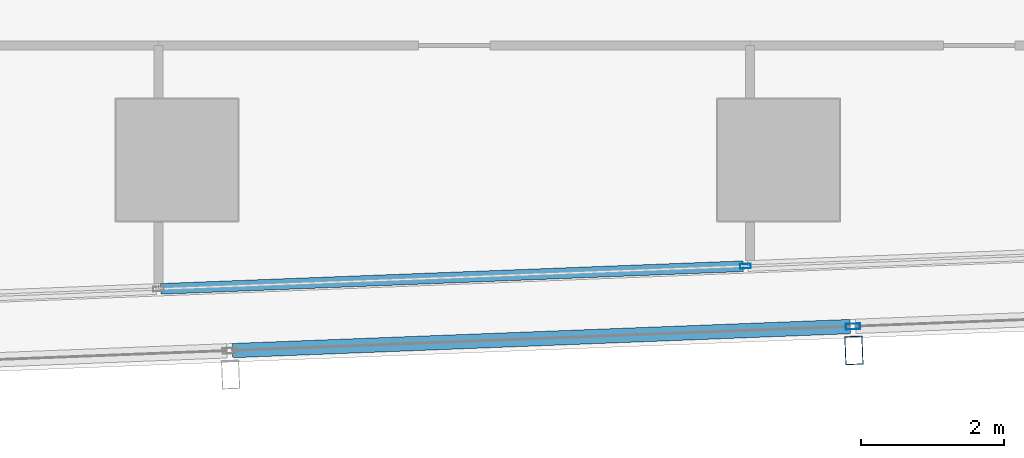
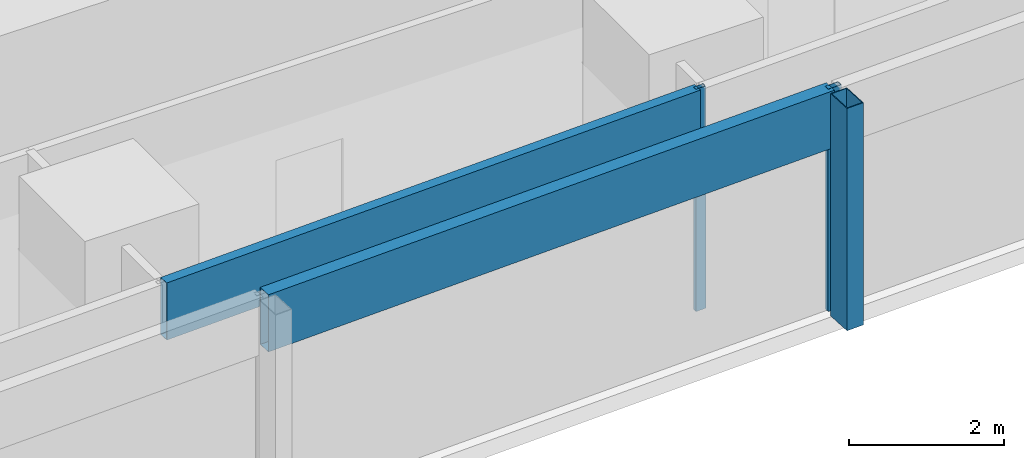
# One storey, part 10 of 40: 5 members, 2 elements without a shape of their own.
"""IFC4 building model written with IfcOpenShell, lengths in metres."""

from ifc_helpers import new_model, si_unit, direction, frame, origin, origin_2d, place, context, subcontext, project, spatial, hollow_rectangle, extrude, material, material_profile, profile_set, type_object, element, aggregate, save


model = new_model("IFC4")

# Units and contexts
model_context = context("Model", 3, precision=1e-05, world=origin(), true_north=direction((0.0, 1.0)))
body_context = subcontext(model_context, "Body", "Model", "MODEL_VIEW")
ifc_project = project(units=[si_unit("LENGTHUNIT", "METRE"), si_unit("AREAUNIT", "SQUARE_METRE"), si_unit("VOLUMEUNIT", "CUBIC_METRE"), si_unit("PLANEANGLEUNIT", "RADIAN"), si_unit("MASSUNIT", "GRAM", prefix="KILO")], contexts=[model_context])

# Site, building, storey
site_placement = place(None, origin())
site = spatial("IfcSite", under=ifc_project, at=site_placement, CompositionType="ELEMENT")
building_placement = place(site_placement, origin())
building = spatial("IfcBuilding", under=site, at=building_placement, Name="Rekha Terrace Tower", CompositionType="ELEMENT")
storey_placement = place(building_placement, frame((0.0, 0.0, 99.050048828125)))
storey = spatial("IfcBuildingStorey", under=building, at=storey_placement, Name="L24", CompositionType="ELEMENT", Elevation=99.050048828125)

# Curtain wall, member
ifc_material_1 = material(Name="Aluminium framing", Category="aluminium")
curtain_wall_type_1 = type_object("IfcCurtainWallType", Name="CW2 double skin outer glazing", PredefinedType="USERDEFINED", material=ifc_material_1)
curtain_wall_1_placement = place(storey_placement, origin())
curtain_wall_1 = element("IfcCurtainWall", 1, at=curtain_wall_1_placement, inside=storey, type_object=curtain_wall_type_1, Name="CW2 double skin outer glazing", ObjectType="DOUBLE SKIN OUTER GLAZING", PredefinedType="USERDEFINED")
ifc_material_2 = material(Name="Steel S355 with fluorocarbon finish", Category="steel")
ifc_material_profile_1 = material_profile(ifc_material_2, hollow_rectangle(XDim=0.25, YDim=0.39990234375, WallThickness=0.012451171875, at=origin_2d()), Name="RHS400x250x12.5")
ifc_profile_set_1 = profile_set([ifc_material_profile_1], Name="Steel S355 with fluorocarbon finish")
member_type_1 = type_object("IfcMemberType", Name="BL1 facade blade RHS 400 x 250", PredefinedType="USERDEFINED", material=ifc_profile_set_1)
member_1_placement = place(storey_placement, frame((51.4521484375, 14.141845703125, 0.0), z_axis=(0.0, 0.0, 1.0), x_axis=(0.999243494356, 0.038890088543, 0.0)))
member_1 = element("IfcMember", 2, at=member_1_placement, type_object=member_type_1, Name="Facade blade", ObjectType="FACADE BLADE", PredefinedType="USERDEFINED", context=body_context, shape_type="SweptSolid", body=[
    extrude(hollow_rectangle(XDim=0.25, YDim=0.39990234375, WallThickness=0.012451171875, at=origin_2d()), origin(), (0.0, 0.0, 1.0), 3.5),
])

# Curtain wall, members
curtain_wall_type_2 = type_object("IfcCurtainWallType", Name="CW1 double skin inner glazing", PredefinedType="USERDEFINED", material=ifc_material_1)
curtain_wall_2_placement = place(storey_placement, origin())
curtain_wall_2 = element("IfcCurtainWall", 3, at=curtain_wall_2_placement, inside=storey, type_object=curtain_wall_type_2, Name="CW1 double skin inner glazing", ObjectType="DOUBLE SKIN INNER GLAZING", PredefinedType="USERDEFINED")
ifc_material_3 = material(Name="Aluminium mullion section", Category="aluminium")
ifc_material_profile_2 = material_profile(ifc_material_3, hollow_rectangle(XDim=0.06494140625, YDim=0.14990234375, WallThickness=0.00390625, at=origin_2d()), Name="AL RHS 65x150")
ifc_profile_set_2 = profile_set([ifc_material_profile_2], Name="Aluminium mullion section")
member_type_2 = type_object("IfcMemberType", Name="CW1 mullion RHS 65 x 150", PredefinedType="MULLION", material=ifc_profile_set_2)
member_2_placement = place(storey_placement, frame((49.936767578125, 15.31884765625, 0.0), z_axis=(0.0, 0.0, 1.0), x_axis=(-0.038889971345, 0.999243498917, 0.0)))
member_2 = element("IfcMember", 4, at=member_2_placement, type_object=member_type_2, Name="CW1 mullion 4", PredefinedType="MULLION", context=body_context, shape_type="SweptSolid", body=[
    extrude(hollow_rectangle(XDim=0.06494140625, YDim=0.14990234375, WallThickness=0.00390625, at=origin_2d()), origin(), (0.0, 0.0, 1.0), 3.5),
])
ifc_material_4 = material(Name="Insulated aluminium spandrel box", Category="aluminium")
ifc_material_profile_3 = material_profile(ifc_material_4, hollow_rectangle(XDim=0.14990234375, YDim=0.89990234375, WallThickness=0.0029296875, at=origin_2d()), Name="AL SPANDREL BOX 150x900")
ifc_profile_set_3 = profile_set([ifc_material_profile_3], Name="Insulated aluminium spandrel box")
member_type_3 = type_object("IfcMemberType", Name="CW1 spandrel transom 150 x 900", PredefinedType="USERDEFINED", material=ifc_profile_set_3)
member_3_placement = place(storey_placement, frame((41.772705078125, 15.001220703125, 3.050048828125), z_axis=(0.999243835719, 0.038881316573, 0.0), x_axis=(-0.038881316573, 0.999243835719, 0.0)))
member_3 = element("IfcMember", 5, at=member_3_placement, type_object=member_type_3, Name="CW1 spandrel transom 3", ObjectType="TRANSOM", PredefinedType="USERDEFINED", context=body_context, shape_type="SweptSolid", body=[
    extrude(hollow_rectangle(XDim=0.14990234375, YDim=0.89990234375, WallThickness=0.0029296875, at=origin_2d()), origin(), (0.0, 0.0, 1.0), 8.1376953125),
])
aggregate(curtain_wall_2, [member_2, member_3])

# Member
ifc_material_profile_4 = material_profile(ifc_material_3, hollow_rectangle(XDim=0.080078125, YDim=0.199951171875, WallThickness=0.00390625, at=origin_2d()), Name="AL RHS 80x200")
ifc_profile_set_4 = profile_set([ifc_material_profile_4], Name="Aluminium mullion section")
member_type_4 = type_object("IfcMemberType", Name="CW2 mullion RHS 80 x 200", PredefinedType="MULLION", material=ifc_profile_set_4)
member_4_placement = place(storey_placement, frame((51.439208984375, 14.4765625, 0.0), z_axis=(0.0, 0.0, 1.0), x_axis=(-0.038889971345, 0.999243498917, 0.0)))
member_4 = element("IfcMember", 6, at=member_4_placement, type_object=member_type_4, Name="CW2 mullion 4", PredefinedType="MULLION", context=body_context, shape_type="SweptSolid", body=[
    extrude(hollow_rectangle(XDim=0.080078125, YDim=0.199951171875, WallThickness=0.00390625, at=origin_2d()), origin(), (0.0, 0.0, 1.0), 3.5),
])

ifc_material_profile_5 = material_profile(ifc_material_4, hollow_rectangle(XDim=0.199951171875, YDim=0.89990234375, WallThickness=0.0029296875, at=origin_2d()), Name="AL SPANDREL BOX 200x900")
ifc_profile_set_5 = profile_set([ifc_material_profile_5], Name="Insulated aluminium spandrel box")
member_type_5 = type_object("IfcMemberType", Name="CW2 spandrel transom 200 x 900", PredefinedType="USERDEFINED", material=ifc_profile_set_5)
member_5_placement = place(storey_placement, frame((42.774169921875, 14.139404296875, 3.050048828125), z_axis=(0.999243438523, 0.038891523097, 0.0), x_axis=(-0.038891523097, 0.999243438523, 0.0)))
member_5 = element("IfcMember", 7, at=member_5_placement, type_object=member_type_5, Name="CW2 spandrel transom 3", ObjectType="TRANSOM", PredefinedType="USERDEFINED", context=body_context, shape_type="SweptSolid", body=[
    extrude(hollow_rectangle(XDim=0.199951171875, YDim=0.89990234375, WallThickness=0.0029296875, at=origin_2d()), origin(), (0.0, 0.0, 1.0), 8.631591796875),
])

aggregate(curtain_wall_1, [member_4, member_5, member_1])

save(model, "model.ifc")
